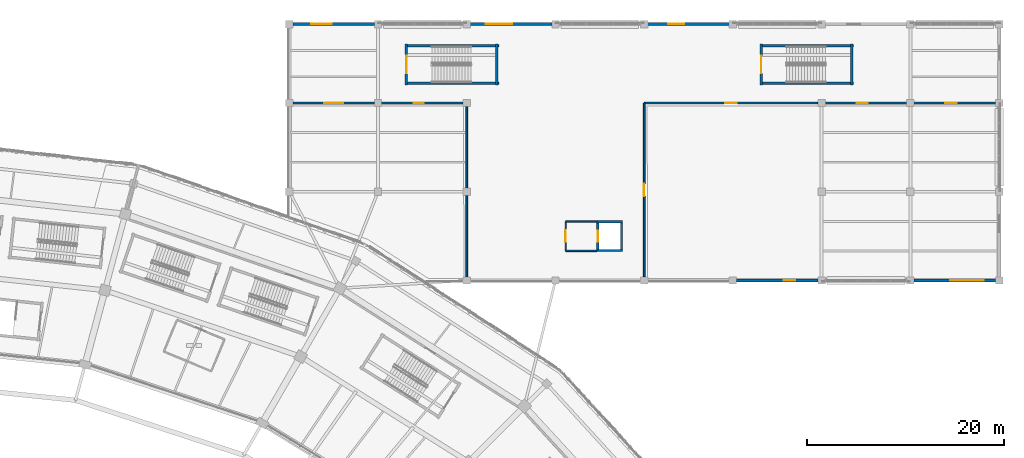
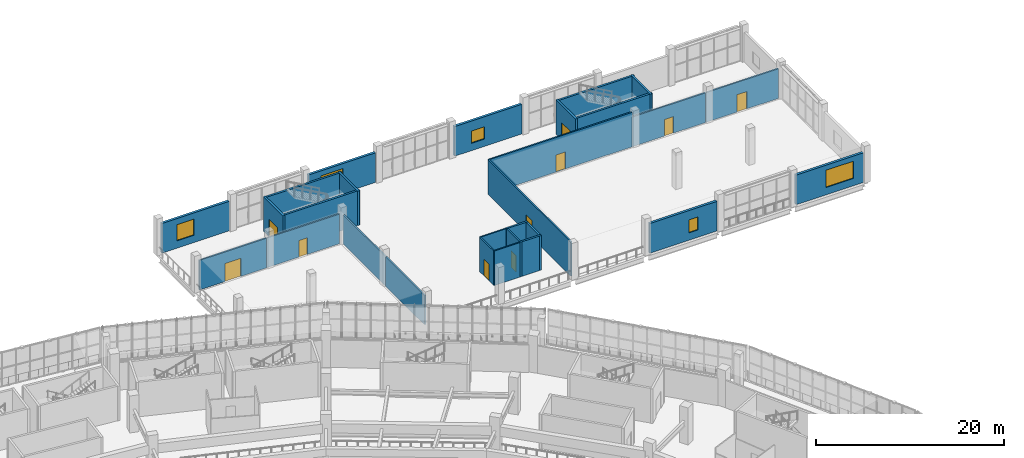
# One storey, part 112 of 179: 28 walls, 10 doors, 5 windows, 15 openings.
"""IFC4 building model written with IfcOpenShell, lengths in metres."""

from ifc_helpers import new_model, si_unit, direction, frame, frame_2d, origin, place, context, subcontext, project, spatial, rectangle, extrude, material, layer, layer_set, type_object, element, fill, save


model = new_model("IFC4")

# Units and contexts
model_context = context("Model", 3, precision=1e-05, world=origin(), true_north=direction((0.0, 1.0)))
body_context = subcontext(model_context, "Body", "Model", "MODEL_VIEW")
ifc_project = project(units=[si_unit("LENGTHUNIT", "METRE"), si_unit("AREAUNIT", "SQUARE_METRE"), si_unit("VOLUMEUNIT", "CUBIC_METRE"), si_unit("PLANEANGLEUNIT", "RADIAN"), si_unit("MASSUNIT", "GRAM", prefix="KILO")], contexts=[model_context])

# Site, building, storey
site_placement = place(None, origin())
site = spatial("IfcSite", under=ifc_project, at=site_placement, CompositionType="ELEMENT")
building_placement = place(site_placement, origin())
building = spatial("IfcBuilding", under=site, at=building_placement, Name="Zevraka Park Crest Stadium", CompositionType="ELEMENT")
storey_placement = place(building_placement, frame((0.0, 0.0, 10.199951171875)))
storey = spatial("IfcBuildingStorey", under=building, at=storey_placement, Name="L02", CompositionType="ELEMENT", Elevation=10.199951171875)

# Wall, opening, window
ifc_material_1 = material(Name="Limestone and red clay brick masonry", Category="masonry")
ifc_layer_1 = layer(ifc_material_1, 0.300048828125)
ifc_layer_set_1 = layer_set([ifc_layer_1], Name="Limestone and red clay brick masonry")
wall_type_1 = type_object("IfcWallType", Name="EW02", PredefinedType="STANDARD", material=ifc_layer_set_1)
wall_1_placement = place(storey_placement, frame((152.35009765625, 184.0, 0.0), z_axis=(0.0, 0.0, 1.0), x_axis=(1.0, 0.0, 0.0)))
wall_1 = element("IfcWall", 1, at=wall_1_placement, inside=storey, type_object=wall_type_1, Name="Wing External Cavity Wall EW02 L02-NGATE-N-1", PredefinedType="STANDARD", context=body_context, shape_type="SweptSolid", body=[
    extrude(rectangle(XDim=8.2998046875, YDim=0.300048828125, at=frame_2d((4.14990234375, 0.0))), origin(), (0.0, 0.0, 1.0), 3.85498046875),
])
opening_1_placement = place(wall_1_placement, frame((1.85498046875, 0.0, 0.949951171875)))
opening_1 = element("IfcOpeningElement", 2, at=opening_1_placement, cuts=wall_1, Name="Opening WN06", PredefinedType="OPENING", context=body_context, shape_type="SweptSolid", body=[
    extrude(rectangle(XDim=2.10009765625, YDim=2.10009765625, at=frame_2d((1.050048828125, 1.050048828125))), frame((0.0, 0.159912109375, 0.0), z_axis=(0.0, -1.0, 0.0), x_axis=(1.0, 0.0, 0.0)), (0.0, 0.0, 1.0), 0.320068359375),
])
ifc_material_2 = material(Name="Solar-control laminated double glazing in aluminium frame", Category="aluminium")
window_type_1 = type_object("IfcWindowType", Name="WN06", PartitioningType="SINGLE_PANEL", PredefinedType="WINDOW", material=ifc_material_2)
window_1_placement = place(opening_1_placement, origin())
window_1 = element("IfcWindow", 3, at=window_1_placement, inside=storey, type_object=window_type_1, Name="Facade Casement Window WN06 W-L02-006", OverallHeight=2.10009765625, OverallWidth=2.10009765625, PartitioningType="SINGLE_PANEL", PredefinedType="WINDOW", context=body_context, shape_type="SweptSolid", body=[
    extrude(rectangle(XDim=2.10009765625, YDim=2.10009765625, at=frame_2d((1.050048828125, 1.050048828125))), frame((0.0, 0.030029296875, 0.0), z_axis=(0.0, -1.0, 0.0), x_axis=(1.0, 0.0, 0.0)), (0.0, 0.0, 1.0), 0.06005859375),
])
fill(opening_1, window_1)

wall_2_placement = place(storey_placement, frame((170.35009765625, 184.0, 0.0), z_axis=(0.0, 0.0, 1.0), x_axis=(1.0, 0.0, 0.0)))
wall_2 = element("IfcWall", 4, at=wall_2_placement, inside=storey, type_object=wall_type_1, Name="Wing External Cavity Wall EW02 L02-NGATE-N-3", PredefinedType="STANDARD", context=body_context, shape_type="SweptSolid", body=[
    extrude(rectangle(XDim=8.2998046875, YDim=0.300048828125, at=frame_2d((4.14990234375, 0.0))), origin(), (0.0, 0.0, 1.0), 3.85498046875),
])
opening_2_placement = place(wall_2_placement, frame((1.554931640625, 0.0, 0.949951171875)))
opening_2 = element("IfcOpeningElement", 5, at=opening_2_placement, cuts=wall_2, Name="Opening WN07", PredefinedType="OPENING", context=body_context, shape_type="SweptSolid", body=[
    extrude(rectangle(XDim=2.699951171875, YDim=2.25, at=frame_2d((1.35009765625, 1.125))), frame((0.0, 0.159912109375, 0.0), z_axis=(0.0, -1.0, 0.0), x_axis=(1.0, 0.0, 0.0)), (0.0, 0.0, 1.0), 0.320068359375),
])
ifc_material_3 = material(Name="Solar-control laminated double glazing in aluminium frame", Category="aluminium")
window_type_2 = type_object("IfcWindowType", Name="WN07", PartitioningType="SINGLE_PANEL", PredefinedType="WINDOW", material=ifc_material_3)
window_2_placement = place(opening_2_placement, origin())
window_2 = element("IfcWindow", 6, at=window_2_placement, inside=storey, type_object=window_type_2, Name="Facade Casement Window WN07 W-L02-007", OverallHeight=2.25, OverallWidth=2.699951171875, PartitioningType="SINGLE_PANEL", PredefinedType="WINDOW", context=body_context, shape_type="SweptSolid", body=[
    extrude(rectangle(XDim=2.699951171875, YDim=2.25, at=frame_2d((1.35009765625, 1.125))), frame((0.0, 0.030029296875, 0.0), z_axis=(0.0, -1.0, 0.0), x_axis=(1.0, 0.0, 0.0)), (0.0, 0.0, 1.0), 0.06005859375),
])
fill(opening_2, window_2)

wall_3_placement = place(storey_placement, frame((188.35009765625, 184.0, 0.0), z_axis=(0.0, 0.0, 1.0), x_axis=(1.0, 0.0, 0.0)))
wall_3 = element("IfcWall", 7, at=wall_3_placement, inside=storey, type_object=wall_type_1, Name="Wing External Cavity Wall EW02 L02-NGATE-N-5", PredefinedType="STANDARD", context=body_context, shape_type="SweptSolid", body=[
    extrude(rectangle(XDim=8.2998046875, YDim=0.300048828125, at=frame_2d((4.14990234375, 0.0))), origin(), (0.0, 0.0, 1.0), 3.85498046875),
])
opening_3_placement = place(wall_3_placement, frame((2.10498046875, 0.0, 0.949951171875)))
opening_3 = element("IfcOpeningElement", 8, at=opening_3_placement, cuts=wall_3, Name="Opening WN08", PredefinedType="OPENING", context=body_context, shape_type="SweptSolid", body=[
    extrude(rectangle(XDim=1.60009765625, YDim=1.60009765625, at=frame_2d((0.800048828125, 0.800048828125))), frame((0.0, 0.159912109375, 0.0), z_axis=(0.0, -1.0, 0.0), x_axis=(1.0, 0.0, 0.0)), (0.0, 0.0, 1.0), 0.320068359375),
])
ifc_material_4 = material(Name="Solar-control laminated double glazing in aluminium frame", Category="aluminium")
window_type_3 = type_object("IfcWindowType", Name="WN08", PartitioningType="SINGLE_PANEL", PredefinedType="WINDOW", material=ifc_material_4)
window_3_placement = place(opening_3_placement, origin())
window_3 = element("IfcWindow", 9, at=window_3_placement, inside=storey, type_object=window_type_3, Name="Facade Casement Window WN08 W-L02-008", OverallHeight=1.60009765625, OverallWidth=1.60009765625, PartitioningType="SINGLE_PANEL", PredefinedType="WINDOW", context=body_context, shape_type="SweptSolid", body=[
    extrude(rectangle(XDim=1.60009765625, YDim=1.60009765625, at=frame_2d((0.800048828125, 0.800048828125))), frame((0.0, 0.030029296875, 0.0), z_axis=(0.0, -1.0, 0.0), x_axis=(1.0, 0.0, 0.0)), (0.0, 0.0, 1.0), 0.06005859375),
])
fill(opening_3, window_3)

wall_4_placement = place(storey_placement, frame((223.64990234375, 158.0, 0.0), z_axis=(0.0, 0.0, 1.0), x_axis=(-1.0, 0.0, 0.0)))
wall_4 = element("IfcWall", 10, at=wall_4_placement, inside=storey, type_object=wall_type_1, Name="Wing External Cavity Wall EW02 L02-NGATE-S-1", PredefinedType="STANDARD", context=body_context, shape_type="SweptSolid", body=[
    extrude(rectangle(XDim=8.2998046875, YDim=0.300048828125, at=frame_2d((4.14990234375, 0.0))), origin(), (0.0, 0.0, 1.0), 3.85498046875),
])
opening_4_placement = place(wall_4_placement, frame((1.205078125, 0.0, 0.949951171875)))
opening_4 = element("IfcOpeningElement", 11, at=opening_4_placement, cuts=wall_4, Name="Opening WN24", PredefinedType="OPENING", context=body_context, shape_type="SweptSolid", body=[
    extrude(rectangle(XDim=3.39990234375, YDim=2.25, at=frame_2d((1.699951171875, 1.125))), frame((0.0, 0.159912109375, 0.0), z_axis=(0.0, -1.0, 0.0), x_axis=(1.0, 0.0, 0.0)), (0.0, 0.0, 1.0), 0.320068359375),
])
ifc_material_5 = material(Name="Solar-control laminated double glazing in aluminium frame", Category="aluminium")
window_type_4 = type_object("IfcWindowType", Name="WN24", PartitioningType="SINGLE_PANEL", PredefinedType="WINDOW", material=ifc_material_5)
window_4_placement = place(opening_4_placement, origin())
window_4 = element("IfcWindow", 12, at=window_4_placement, inside=storey, type_object=window_type_4, Name="Facade Casement Window WN24 W-L02-024", OverallHeight=2.25, OverallWidth=3.39990234375, PartitioningType="SINGLE_PANEL", PredefinedType="WINDOW", context=body_context, shape_type="SweptSolid", body=[
    extrude(rectangle(XDim=3.39990234375, YDim=2.25, at=frame_2d((1.699951171875, 1.125))), frame((0.0, 0.030029296875, 0.0), z_axis=(0.0, -1.0, 0.0), x_axis=(1.0, 0.0, 0.0)), (0.0, 0.0, 1.0), 0.06005859375),
])
fill(opening_4, window_4)

wall_5_placement = place(storey_placement, frame((205.64990234375, 158.0, 0.0), z_axis=(0.0, 0.0, 1.0), x_axis=(-1.0, 0.0, 0.0)))
wall_5 = element("IfcWall", 13, at=wall_5_placement, inside=storey, type_object=wall_type_1, Name="Wing External Cavity Wall EW02 L02-NGATE-S-3", PredefinedType="STANDARD", context=body_context, shape_type="SweptSolid", body=[
    extrude(rectangle(XDim=8.2998046875, YDim=0.300048828125, at=frame_2d((4.14990234375, 0.0))), origin(), (0.0, 0.0, 1.0), 3.85498046875),
])
opening_5_placement = place(wall_5_placement, frame((2.330078125, 0.0, 0.949951171875)))
opening_5 = element("IfcOpeningElement", 14, at=opening_5_placement, cuts=wall_5, Name="Opening WN25", PredefinedType="OPENING", context=body_context, shape_type="SweptSolid", body=[
    extrude(rectangle(XDim=1.14990234375, YDim=1.699951171875, at=frame_2d((0.574951171875, 0.85009765625))), frame((0.0, 0.159912109375, 0.0), z_axis=(0.0, -1.0, 0.0), x_axis=(1.0, 0.0, 0.0)), (0.0, 0.0, 1.0), 0.320068359375),
])
ifc_material_6 = material(Name="Solar-control laminated double glazing in aluminium frame", Category="aluminium")
window_type_5 = type_object("IfcWindowType", Name="WN25", PartitioningType="SINGLE_PANEL", PredefinedType="WINDOW", material=ifc_material_6)
window_5_placement = place(opening_5_placement, origin())
window_5 = element("IfcWindow", 15, at=window_5_placement, inside=storey, type_object=window_type_5, Name="Facade Casement Window WN25 W-L02-025", OverallHeight=1.699951171875, OverallWidth=1.14990234375, PartitioningType="SINGLE_PANEL", PredefinedType="WINDOW", context=body_context, shape_type="SweptSolid", body=[
    extrude(rectangle(XDim=1.14990234375, YDim=1.699951171875, at=frame_2d((0.574951171875, 0.85009765625))), frame((0.0, 0.030029296875, 0.0), z_axis=(0.0, -1.0, 0.0), x_axis=(1.0, 0.0, 0.0)), (0.0, 0.0, 1.0), 0.06005859375),
])
fill(opening_5, window_5)

# Walls
ifc_material_7 = material(Name="Fire-rated twin-stud acoustic drywall", Category="other")
ifc_layer_2 = layer(ifc_material_7, 0.159912109375)
ifc_layer_set_2 = layer_set([ifc_layer_2], Name="Fire-rated twin-stud acoustic drywall")
wall_type_2 = type_object("IfcWallType", Name="IW02", PredefinedType="PARTITIONING", material=ifc_layer_set_2)
for number, where, z_axis, x_axis, name in (
    (16, (183.199951171875, 163.989990234375, 0.0), (0.0, 0.0, 1.0), (-1.0, 0.0, 0.0), "Passenger Lift Lobby Wall IW02 PL04 L02 LEFT"),
    (17, (183.199951171875, 161.010009765625, 0.0), (0.0, 0.0, 1.0), (-1.0, 0.0, 0.0), "Passenger Lift Lobby Wall IW02 PL04 L02 RIGHT"),
):
    element("IfcWall", number, at=place(storey_placement, frame(where, z_axis=z_axis, x_axis=x_axis)), inside=storey, type_object=wall_type_2, Name=name, PredefinedType="PARTITIONING", context=body_context, shape_type="SweptSolid", body=[
        extrude(rectangle(XDim=3.169921875, YDim=0.159912109375, at=frame_2d((1.5849609375, 0.0))), origin(), (0.0, 0.0, 1.0), 4.47998046875),
    ])

# Wall, opening, door
wall_6_placement = place(storey_placement, frame((180.030029296875, 163.989990234375, 0.0), z_axis=(0.0, 0.0, 1.0), x_axis=(0.0, -1.0, 0.0)))
wall_6 = element("IfcWall", 18, at=wall_6_placement, inside=storey, type_object=wall_type_2, Name="Passenger Lift Lobby Wall IW02 PL04 L02 FRONT", PredefinedType="PARTITIONING", context=body_context, shape_type="SweptSolid", body=[
    extrude(rectangle(XDim=2.97998046875, YDim=0.159912109375, at=frame_2d((1.489990234375, 0.0))), origin(), (0.0, 0.0, 1.0), 4.47998046875),
])
opening_6_placement = place(wall_6_placement, frame((0.9150390625, 0.0, 0.0)))
opening_6 = element("IfcOpeningElement", 19, at=opening_6_placement, cuts=wall_6, Name="Opening D-L02-327", PredefinedType="OPENING", context=body_context, shape_type="SweptSolid", body=[
    extrude(rectangle(XDim=1.14990234375, YDim=2.199951171875, at=frame_2d((0.574951171875, 1.10009765625))), frame((0.0, 0.08984375, 0.0), z_axis=(0.0, -1.0, 0.0), x_axis=(1.0, 0.0, 0.0)), (0.0, 0.0, 1.0), 0.179931640625),
])
ifc_material_8 = material(Name="Solid-core hardwood timber leaf in steel frame", Category="steel")
door_type_1 = type_object("IfcDoorType", Name="DR03", OperationType="NOTDEFINED", PredefinedType="DOOR", material=ifc_material_8)
door_1_placement = place(opening_6_placement, origin())
door_1 = element("IfcDoor", 20, at=door_1_placement, inside=storey, type_object=door_type_1, Name="Passenger Lift Lobby PL04 Door D-L02-327", OperationType="SINGLE_SWING_LEFT", OverallHeight=2.199951171875, OverallWidth=1.14990234375, PredefinedType="DOOR", context=body_context, shape_type="SweptSolid", body=[
    extrude(rectangle(XDim=1.14990234375, YDim=2.199951171875, at=frame_2d((0.574951171875, 1.10009765625))), frame((0.0, 0.02490234375, 0.0), z_axis=(0.0, -1.0, 0.0), x_axis=(1.0, 0.0, 0.0)), (0.0, 0.0, 1.0), 0.050048828125),
])
fill(opening_6, door_1)

ifc_material_9 = material(Name="Fire-rated twin-stud acoustic drywall", Category="other")
ifc_layer_3 = layer(ifc_material_9, 0.179931640625)
ifc_layer_set_3 = layer_set([ifc_layer_3], Name="Fire-rated twin-stud acoustic drywall")
wall_type_3 = type_object("IfcWallType", Name="IW06", PredefinedType="PARTITIONING", material=ifc_layer_set_3)
wall_7_placement = place(storey_placement, frame((152.360107421875, 176.0, 0.0), z_axis=(0.0, 0.0, 1.0), x_axis=(1.0, 0.0, 0.0)))
wall_7 = element("IfcWall", 21, at=wall_7_placement, inside=storey, type_object=wall_type_3, Name="Interior Partition IW06 Supporter Members Pavilion Lounge L02", PredefinedType="PARTITIONING", context=body_context, shape_type="SweptSolid", body=[
    extrude(rectangle(XDim=8.27978515625, YDim=0.179931640625, at=frame_2d((4.139892578125, 0.0))), origin(), (0.0, 0.0, 1.0), 3.85498046875),
])
opening_7_placement = place(wall_7_placement, frame((3.1650390625, 0.0, 0.0)))
opening_7 = element("IfcOpeningElement", 22, at=opening_7_placement, cuts=wall_7, Name="Opening D-L02-418", PredefinedType="OPENING", context=body_context, shape_type="SweptSolid", body=[
    extrude(rectangle(XDim=1.949951171875, YDim=2.35009765625, at=frame_2d((0.97509765625, 1.175048828125))), frame((0.0, 0.099853515625, 0.0), z_axis=(0.0, -1.0, 0.0), x_axis=(1.0, 0.0, 0.0)), (0.0, 0.0, 1.0), 0.199951171875),
])
ifc_material_10 = material(Name="Solid-core hardwood timber leaf in steel frame", Category="steel")
door_type_2 = type_object("IfcDoorType", Name="DR28", OperationType="NOTDEFINED", PredefinedType="DOOR", material=ifc_material_10)
door_2_placement = place(opening_7_placement, origin())
door_2 = element("IfcDoor", 23, at=door_2_placement, inside=storey, type_object=door_type_2, Name="Supporter Members Pavilion Lounge Door D-L02-418", OperationType="DOUBLE_DOOR_SINGLE_SWING", OverallHeight=2.35009765625, OverallWidth=1.949951171875, PredefinedType="DOOR", context=body_context, shape_type="SweptSolid", body=[
    extrude(rectangle(XDim=1.949951171875, YDim=2.35009765625, at=frame_2d((0.97509765625, 1.175048828125))), frame((0.0, 0.02490234375, 0.0), z_axis=(0.0, -1.0, 0.0), x_axis=(1.0, 0.0, 0.0)), (0.0, 0.0, 1.0), 0.050048828125),
])
fill(opening_7, door_2)

wall_8_placement = place(storey_placement, frame((160.625, 176.0, 0.0), z_axis=(0.0, 0.0, 1.0), x_axis=(1.0, 0.0, 0.0)))
wall_8 = element("IfcWall", 24, at=wall_8_placement, inside=storey, type_object=wall_type_3, Name="Interior Partition IW06 Supporter Members Pavilion Lounge L02", PredefinedType="PARTITIONING", context=body_context, shape_type="SweptSolid", body=[
    extrude(rectangle(XDim=9.014892578125, YDim=0.179931640625, at=frame_2d((4.50732421875, 0.0))), origin(), (0.0, 0.0, 1.0), 3.85498046875),
])
opening_8_placement = place(wall_8_placement, frame((3.98193359375, 0.0, 0.0)))
opening_8 = element("IfcOpeningElement", 25, at=opening_8_placement, cuts=wall_8, Name="Opening D-L02-419", PredefinedType="OPENING", context=body_context, shape_type="SweptSolid", body=[
    extrude(rectangle(XDim=1.050048828125, YDim=2.14990234375, at=frame_2d((0.52490234375, 1.074951171875))), frame((0.0, 0.099853515625, 0.0), z_axis=(0.0, -1.0, 0.0), x_axis=(1.0, 0.0, 0.0)), (0.0, 0.0, 1.0), 0.199951171875),
])
ifc_material_11 = material(Name="Solid-core hardwood timber leaf in steel frame", Category="steel")
door_type_3 = type_object("IfcDoorType", Name="DR02", OperationType="NOTDEFINED", PredefinedType="DOOR", material=ifc_material_11)
door_3_placement = place(opening_8_placement, origin())
door_3 = element("IfcDoor", 26, at=door_3_placement, inside=storey, type_object=door_type_3, Name="Supporter Members Pavilion Lounge Door D-L02-419", OperationType="SINGLE_SWING_RIGHT", OverallHeight=2.14990234375, OverallWidth=1.050048828125, PredefinedType="DOOR", context=body_context, shape_type="SweptSolid", body=[
    extrude(rectangle(XDim=1.050048828125, YDim=2.14990234375, at=frame_2d((0.52490234375, 1.074951171875))), frame((0.0, 0.02490234375, 0.0), z_axis=(0.0, -1.0, 0.0), x_axis=(1.0, 0.0, 0.0)), (0.0, 0.0, 1.0), 0.050048828125),
])
fill(opening_8, door_3)

# Walls
wall_9_placement = place(storey_placement, frame((170.0, 158.360107421875, 0.0), z_axis=(0.0, 0.0, 1.0), x_axis=(0.0, 1.0, 0.0)))
element("IfcWall", 27, at=wall_9_placement, inside=storey, type_object=wall_type_3, Name="Interior Partition IW06 Supporter Members Pavilion Lounge L02", PredefinedType="PARTITIONING", context=body_context, shape_type="SweptSolid", body=[
    extrude(rectangle(XDim=8.27978515625, YDim=0.179931640625, at=frame_2d((4.139892578125, 0.0))), origin(), (0.0, 0.0, 1.0), 3.817138671875),
])
wall_10_placement = place(storey_placement, frame((170.0, 166.625, 0.0), z_axis=(0.0, 0.0, 1.0), x_axis=(0.0, 1.0, 0.0)))
element("IfcWall", 28, at=wall_10_placement, inside=storey, type_object=wall_type_3, Name="Interior Partition IW06 Supporter Members Pavilion Lounge L02", PredefinedType="PARTITIONING", context=body_context, shape_type="SweptSolid", body=[
    extrude(rectangle(XDim=9.014892578125, YDim=0.179931640625, at=frame_2d((4.50732421875, 0.0))), origin(), (0.0, 0.0, 1.0), 3.817138671875),
])

# Wall, opening, door
wall_11_placement = place(storey_placement, frame((188.0, 176.0, 0.0), z_axis=(0.0, 0.0, 1.0), x_axis=(1.0, 0.0, 0.0)))
wall_11 = element("IfcWall", 29, at=wall_11_placement, inside=storey, type_object=wall_type_3, Name="Interior Partition IW06 Supporter Members Pavilion Lounge L02", PredefinedType="PARTITIONING", context=body_context, shape_type="SweptSolid", body=[
    extrude(rectangle(XDim=17.639892578125, YDim=0.179931640625, at=frame_2d((8.81982421875, 0.0))), origin(), (0.0, 0.0, 1.0), 4.47998046875),
])
opening_9_placement = place(wall_11_placement, frame((8.2451171875, 0.0, 0.0)))
opening_9 = element("IfcOpeningElement", 30, at=opening_9_placement, cuts=wall_11, Name="Opening D-L02-420", PredefinedType="OPENING", context=body_context, shape_type="SweptSolid", body=[
    extrude(rectangle(XDim=1.14990234375, YDim=2.199951171875, at=frame_2d((0.574951171875, 1.10009765625))), frame((0.0, 0.099853515625, 0.0), z_axis=(0.0, -1.0, 0.0), x_axis=(1.0, 0.0, 0.0)), (0.0, 0.0, 1.0), 0.199951171875),
])
door_4_placement = place(opening_9_placement, origin())
door_4 = element("IfcDoor", 31, at=door_4_placement, inside=storey, type_object=door_type_1, Name="Supporter Members Pavilion Lounge Door D-L02-420", OperationType="SINGLE_SWING_LEFT", OverallHeight=2.199951171875, OverallWidth=1.14990234375, PredefinedType="DOOR", context=body_context, shape_type="SweptSolid", body=[
    extrude(rectangle(XDim=1.14990234375, YDim=2.199951171875, at=frame_2d((0.574951171875, 1.10009765625))), frame((0.0, 0.02490234375, 0.0), z_axis=(0.0, -1.0, 0.0), x_axis=(1.0, 0.0, 0.0)), (0.0, 0.0, 1.0), 0.050048828125),
])
fill(opening_9, door_4)

wall_12_placement = place(storey_placement, frame((205.625, 176.0, 0.0), z_axis=(0.0, 0.0, 1.0), x_axis=(1.0, 0.0, 0.0)))
wall_12 = element("IfcWall", 32, at=wall_12_placement, inside=storey, type_object=wall_type_3, Name="Interior Partition IW06 Supporter Members Pavilion Lounge L02", PredefinedType="PARTITIONING", context=body_context, shape_type="SweptSolid", body=[
    extrude(rectangle(XDim=9.014892578125, YDim=0.179931640625, at=frame_2d((4.50732421875, 0.0))), origin(), (0.0, 0.0, 1.0), 3.85498046875),
])
opening_10_placement = place(wall_12_placement, frame((3.95703125, 0.0, 0.0)))
opening_10 = element("IfcOpeningElement", 33, at=opening_10_placement, cuts=wall_12, Name="Opening D-L02-421", PredefinedType="OPENING", context=body_context, shape_type="SweptSolid", body=[
    extrude(rectangle(XDim=1.10009765625, YDim=2.14990234375, at=frame_2d((0.550048828125, 1.074951171875))), frame((0.0, 0.099853515625, 0.0), z_axis=(0.0, -1.0, 0.0), x_axis=(1.0, 0.0, 0.0)), (0.0, 0.0, 1.0), 0.199951171875),
])
ifc_material_12 = material(Name="Solid-core hardwood timber leaf in steel frame", Category="steel")
door_type_4 = type_object("IfcDoorType", Name="DR10", OperationType="NOTDEFINED", PredefinedType="DOOR", material=ifc_material_12)
door_5_placement = place(opening_10_placement, origin())
door_5 = element("IfcDoor", 34, at=door_5_placement, inside=storey, type_object=door_type_4, Name="Supporter Members Pavilion Lounge Door D-L02-421", OperationType="SINGLE_SWING_RIGHT", OverallHeight=2.14990234375, OverallWidth=1.10009765625, PredefinedType="DOOR", context=body_context, shape_type="SweptSolid", body=[
    extrude(rectangle(XDim=1.10009765625, YDim=2.14990234375, at=frame_2d((0.550048828125, 1.074951171875))), frame((0.0, 0.02490234375, 0.0), z_axis=(0.0, -1.0, 0.0), x_axis=(1.0, 0.0, 0.0)), (0.0, 0.0, 1.0), 0.050048828125),
])
fill(opening_10, door_5)

wall_13_placement = place(storey_placement, frame((214.625, 176.0, 0.0), z_axis=(0.0, 0.0, 1.0), x_axis=(1.0, 0.0, 0.0)))
wall_13 = element("IfcWall", 35, at=wall_13_placement, inside=storey, type_object=wall_type_3, Name="Interior Partition IW06 Supporter Members Pavilion Lounge L02", PredefinedType="PARTITIONING", context=body_context, shape_type="SweptSolid", body=[
    extrude(rectangle(XDim=9.014892578125, YDim=0.179931640625, at=frame_2d((4.50732421875, 0.0))), origin(), (0.0, 0.0, 1.0), 3.85498046875),
])
opening_11_placement = place(wall_13_placement, frame((3.906982421875, 0.0, 0.0)))
opening_11 = element("IfcOpeningElement", 36, at=opening_11_placement, cuts=wall_13, Name="Opening D-L02-422", PredefinedType="OPENING", context=body_context, shape_type="SweptSolid", body=[
    extrude(rectangle(XDim=1.199951171875, YDim=2.25, at=frame_2d((0.60009765625, 1.125))), frame((0.0, 0.099853515625, 0.0), z_axis=(0.0, -1.0, 0.0), x_axis=(1.0, 0.0, 0.0)), (0.0, 0.0, 1.0), 0.199951171875),
])
ifc_material_13 = material(Name="Solid-core hardwood timber leaf in steel frame", Category="steel")
door_type_5 = type_object("IfcDoorType", Name="DR11", OperationType="NOTDEFINED", PredefinedType="DOOR", material=ifc_material_13)
door_6_placement = place(opening_11_placement, origin())
door_6 = element("IfcDoor", 37, at=door_6_placement, inside=storey, type_object=door_type_5, Name="Supporter Members Pavilion Lounge Door D-L02-422", OperationType="SINGLE_SWING_LEFT", OverallHeight=2.25, OverallWidth=1.199951171875, PredefinedType="DOOR", context=body_context, shape_type="SweptSolid", body=[
    extrude(rectangle(XDim=1.199951171875, YDim=2.25, at=frame_2d((0.60009765625, 1.125))), frame((0.0, 0.02490234375, 0.0), z_axis=(0.0, -1.0, 0.0), x_axis=(1.0, 0.0, 0.0)), (0.0, 0.0, 1.0), 0.050048828125),
])
fill(opening_11, door_6)

wall_14_placement = place(storey_placement, frame((188.0, 158.360107421875, 0.0), z_axis=(0.0, 0.0, 1.0), x_axis=(0.0, 1.0, 0.0)))
wall_14 = element("IfcWall", 38, at=wall_14_placement, inside=storey, type_object=wall_type_3, Name="Interior Partition IW06 Supporter Members Pavilion Lounge L02", PredefinedType="PARTITIONING", context=body_context, shape_type="SweptSolid", body=[
    extrude(rectangle(XDim=17.639892578125, YDim=0.179931640625, at=frame_2d((8.81982421875, 0.0))), origin(), (0.0, 0.0, 1.0), 4.47998046875),
])
opening_12_placement = place(wall_14_placement, frame((8.169921875, 0.0, 0.0)))
opening_12 = element("IfcOpeningElement", 39, at=opening_12_placement, cuts=wall_14, Name="Opening D-L02-423", PredefinedType="OPENING", context=body_context, shape_type="SweptSolid", body=[
    extrude(rectangle(XDim=1.300048828125, YDim=2.25, at=frame_2d((0.64990234375, 1.125))), frame((0.0, 0.099853515625, 0.0), z_axis=(0.0, -1.0, 0.0), x_axis=(1.0, 0.0, 0.0)), (0.0, 0.0, 1.0), 0.199951171875),
])
ifc_material_14 = material(Name="Solid-core hardwood timber leaf in steel frame", Category="steel")
door_type_6 = type_object("IfcDoorType", Name="DR12", OperationType="NOTDEFINED", PredefinedType="DOOR", material=ifc_material_14)
door_7_placement = place(opening_12_placement, origin())
door_7 = element("IfcDoor", 40, at=door_7_placement, inside=storey, type_object=door_type_6, Name="Supporter Members Pavilion Lounge Door D-L02-423", OperationType="SINGLE_SWING_RIGHT", OverallHeight=2.25, OverallWidth=1.300048828125, PredefinedType="DOOR", context=body_context, shape_type="SweptSolid", body=[
    extrude(rectangle(XDim=1.300048828125, YDim=2.25, at=frame_2d((0.64990234375, 1.125))), frame((0.0, 0.02490234375, 0.0), z_axis=(0.0, -1.0, 0.0), x_axis=(1.0, 0.0, 0.0)), (0.0, 0.0, 1.0), 0.050048828125),
])
fill(opening_12, door_7)

# Walls
ifc_material_15 = material(Name="Concrete C40/50", Category="concrete")
ifc_layer_4 = layer(ifc_material_15, 0.25)
ifc_layer_set_4 = layer_set([ifc_layer_4], Name="Concrete C40/50")
wall_type_4 = type_object("IfcWallType", Name="SW01", PredefinedType="SHEAR", material=ifc_layer_set_4)
for number, where, z_axis, x_axis, name in (
    (41, (199.75, 178.010009765625, 0.0), (0.0, 0.0, 1.0), (1.0, 0.0, 0.0), "Stair Core Shear Wall SW01 ST45 L02 left"),
    (42, (209.25, 181.830078125, 0.0), (0.0, 0.0, 1.0), (-1.0, 0.0, 0.0), "Stair Core Shear Wall SW01 ST45 L02 right"),
):
    element("IfcWall", number, at=place(storey_placement, frame(where, z_axis=z_axis, x_axis=x_axis)), inside=storey, type_object=wall_type_4, Name=name, PredefinedType="SHEAR", context=body_context, shape_type="SweptSolid", body=[
        extrude(rectangle(XDim=9.5, YDim=0.25, at=frame_2d((4.75, 0.0))), origin(), (0.0, 0.0, 1.0), 4.5),
    ])

# Wall, opening, door
wall_15_placement = place(storey_placement, frame((199.875, 182.0, 0.0), z_axis=(0.0, 0.0, 1.0), x_axis=(0.0, -1.0, 0.0)))
wall_15 = element("IfcWall", 43, at=wall_15_placement, inside=storey, type_object=wall_type_4, Name="Stair Core Shear Wall SW01 ST45 L02 near", PredefinedType="SHEAR", context=body_context, shape_type="SweptSolid", body=[
    extrude(rectangle(XDim=4.159912109375, YDim=0.25, at=frame_2d((2.080078125, 0.0))), origin(), (0.0, 0.0, 1.0), 4.5),
])
opening_13_placement = place(wall_15_placement, frame((1.179931640625, 0.0, 0.0)))
opening_13 = element("IfcOpeningElement", 44, at=opening_13_placement, cuts=wall_15, Name="Opening D-L02-236", PredefinedType="OPENING", context=body_context, shape_type="SweptSolid", body=[
    extrude(rectangle(XDim=1.800048828125, YDim=2.25, at=frame_2d((0.89990234375, 1.125))), frame((0.0, 0.135009765625, 0.0), z_axis=(0.0, -1.0, 0.0), x_axis=(1.0, 0.0, 0.0)), (0.0, 0.0, 1.0), 0.27001953125),
])
ifc_material_16 = material(Name="Solid-core hardwood timber leaf in steel frame", Category="steel")
door_type_7 = type_object("IfcDoorType", Name="DR04", OperationType="NOTDEFINED", PredefinedType="DOOR", material=ifc_material_16)
door_8_placement = place(opening_13_placement, origin())
door_8 = element("IfcDoor", 45, at=door_8_placement, inside=storey, type_object=door_type_7, Name="Protected Stair Entry Door ST45 L02", OperationType="DOUBLE_DOOR_SINGLE_SWING", OverallHeight=2.25, OverallWidth=1.800048828125, PredefinedType="DOOR", context=body_context, shape_type="SweptSolid", body=[
    extrude(rectangle(XDim=1.800048828125, YDim=2.25, at=frame_2d((0.89990234375, 1.125))), frame((0.0, 0.02490234375, 0.0), z_axis=(0.0, -1.0, 0.0), x_axis=(1.0, 0.0, 0.0)), (0.0, 0.0, 1.0), 0.050048828125),
])
fill(opening_13, door_8)

# Walls
wall_16_placement = place(storey_placement, frame((209.06494140625, 177.840087890625, 0.0), z_axis=(0.0, 0.0, 1.0), x_axis=(0.0, 1.0, 0.0)))
element("IfcWall", 46, at=wall_16_placement, inside=storey, type_object=wall_type_4, Name="Stair Core Shear Wall SW01 ST45 L02 far", PredefinedType="SHEAR", context=body_context, shape_type="SweptSolid", body=[
    extrude(rectangle(XDim=4.159912109375, YDim=0.25, at=frame_2d((2.080078125, 0.0))), origin(), (0.0, 0.0, 1.0), 4.5),
])
for number, where, z_axis, x_axis, name in (
    (47, (163.75, 178.010009765625, 0.0), (0.0, 0.0, 1.0), (1.0, 0.0, 0.0), "Stair Core Shear Wall SW01 ST46 L02 left"),
    (48, (173.25, 181.830078125, 0.0), (0.0, 0.0, 1.0), (-1.0, 0.0, 0.0), "Stair Core Shear Wall SW01 ST46 L02 right"),
):
    element("IfcWall", number, at=place(storey_placement, frame(where, z_axis=z_axis, x_axis=x_axis)), inside=storey, type_object=wall_type_4, Name=name, PredefinedType="SHEAR", context=body_context, shape_type="SweptSolid", body=[
        extrude(rectangle(XDim=9.5, YDim=0.25, at=frame_2d((4.75, 0.0))), origin(), (0.0, 0.0, 1.0), 4.5),
    ])

# Wall, opening, door
wall_17_placement = place(storey_placement, frame((163.875, 182.0, 0.0), z_axis=(0.0, 0.0, 1.0), x_axis=(0.0, -1.0, 0.0)))
wall_17 = element("IfcWall", 49, at=wall_17_placement, inside=storey, type_object=wall_type_4, Name="Stair Core Shear Wall SW01 ST46 L02 near", PredefinedType="SHEAR", context=body_context, shape_type="SweptSolid", body=[
    extrude(rectangle(XDim=4.159912109375, YDim=0.25, at=frame_2d((2.080078125, 0.0))), origin(), (0.0, 0.0, 1.0), 4.5),
])
opening_14_placement = place(wall_17_placement, frame((1.179931640625, 0.0, 0.0)))
opening_14 = element("IfcOpeningElement", 50, at=opening_14_placement, cuts=wall_17, Name="Opening D-L02-241", PredefinedType="OPENING", context=body_context, shape_type="SweptSolid", body=[
    extrude(rectangle(XDim=1.800048828125, YDim=2.25, at=frame_2d((0.89990234375, 1.125))), frame((0.0, 0.135009765625, 0.0), z_axis=(0.0, -1.0, 0.0), x_axis=(1.0, 0.0, 0.0)), (0.0, 0.0, 1.0), 0.27001953125),
])
door_9_placement = place(opening_14_placement, origin())
door_9 = element("IfcDoor", 51, at=door_9_placement, inside=storey, type_object=door_type_7, Name="Protected Stair Entry Door ST46 L02", OperationType="DOUBLE_DOOR_SINGLE_SWING", OverallHeight=2.25, OverallWidth=1.800048828125, PredefinedType="DOOR", context=body_context, shape_type="SweptSolid", body=[
    extrude(rectangle(XDim=1.800048828125, YDim=2.25, at=frame_2d((0.89990234375, 1.125))), frame((0.0, 0.02490234375, 0.0), z_axis=(0.0, -1.0, 0.0), x_axis=(1.0, 0.0, 0.0)), (0.0, 0.0, 1.0), 0.050048828125),
])
fill(opening_14, door_9)

# Walls
wall_18_placement = place(storey_placement, frame((173.06494140625, 177.840087890625, 0.0), z_axis=(0.0, 0.0, 1.0), x_axis=(0.0, 1.0, 0.0)))
element("IfcWall", 52, at=wall_18_placement, inside=storey, type_object=wall_type_4, Name="Stair Core Shear Wall SW01 ST46 L02 far", PredefinedType="SHEAR", context=body_context, shape_type="SweptSolid", body=[
    extrude(rectangle(XDim=4.159912109375, YDim=0.25, at=frame_2d((2.080078125, 0.0))), origin(), (0.0, 0.0, 1.0), 4.5),
])
ifc_material_17 = material(Name="Concrete C40/50", Category="concrete")
ifc_layer_5 = layer(ifc_material_17, 0.219970703125)
ifc_layer_set_5 = layer_set([ifc_layer_5], Name="Concrete C40/50")
wall_type_5 = type_object("IfcWallType", Name="SW02", PredefinedType="SHEAR", material=ifc_layer_set_5)
wall_19_placement = place(storey_placement, frame((183.179931640625, 161.0400390625, 0.0), z_axis=(0.0, 0.0, 1.0), x_axis=(1.0, 0.0, 0.0)))
element("IfcWall", 53, at=wall_19_placement, inside=storey, type_object=wall_type_5, Name="Lift Shaft Shear Wall SW02 PL04 L02-1", PredefinedType="SHEAR", context=body_context, shape_type="SweptSolid", body=[
    extrude(rectangle(XDim=2.64013671875, YDim=0.219970703125, at=frame_2d((1.320068359375, 0.0))), origin(), (0.0, 0.0, 1.0), 4.5),
])
wall_20_placement = place(storey_placement, frame((185.7099609375, 160.929931640625, 0.0), z_axis=(0.0, 0.0, 1.0), x_axis=(0.0, 1.0, 0.0)))
element("IfcWall", 54, at=wall_20_placement, inside=storey, type_object=wall_type_5, Name="Lift Shaft Shear Wall SW02 PL04 L02-2", PredefinedType="SHEAR", context=body_context, shape_type="SweptSolid", body=[
    extrude(rectangle(XDim=3.14013671875, YDim=0.219970703125, at=frame_2d((1.570068359375, 0.0))), origin(), (0.0, 0.0, 1.0), 4.5),
])
wall_21_placement = place(storey_placement, frame((185.820068359375, 163.9599609375, 0.0), z_axis=(0.0, 0.0, 1.0), x_axis=(-1.0, 0.0, 0.0)))
element("IfcWall", 55, at=wall_21_placement, inside=storey, type_object=wall_type_5, Name="Lift Shaft Shear Wall SW02 PL04 L02-3", PredefinedType="SHEAR", context=body_context, shape_type="SweptSolid", body=[
    extrude(rectangle(XDim=2.64013671875, YDim=0.219970703125, at=frame_2d((1.320068359375, 0.0))), origin(), (0.0, 0.0, 1.0), 4.5),
])

# Wall, opening, door
wall_22_placement = place(storey_placement, frame((183.2900390625, 164.070068359375, 0.0), z_axis=(0.0, 0.0, 1.0), x_axis=(0.0, -1.0, 0.0)))
wall_22 = element("IfcWall", 56, at=wall_22_placement, inside=storey, type_object=wall_type_5, Name="Lift Shaft Shear Wall SW02 PL04 L02-4", PredefinedType="SHEAR", context=body_context, shape_type="SweptSolid", body=[
    extrude(rectangle(XDim=3.14013671875, YDim=0.219970703125, at=frame_2d((1.570068359375, 0.0))), origin(), (0.0, 0.0, 1.0), 4.5),
])
opening_15_placement = place(wall_22_placement, frame((1.02001953125, 0.0, 0.0)))
opening_15 = element("IfcOpeningElement", 57, at=opening_15_placement, cuts=wall_22, Name="Opening LD-PL04-L02", PredefinedType="OPENING", context=body_context, shape_type="SweptSolid", body=[
    extrude(rectangle(XDim=1.10009765625, YDim=2.14990234375, at=frame_2d((0.550048828125, 1.074951171875))), frame((0.0, 0.119873046875, 0.0), z_axis=(0.0, -1.0, 0.0), x_axis=(1.0, 0.0, 0.0)), (0.0, 0.0, 1.0), 0.239990234375),
])
ifc_material_18 = material(Name="Brushed stainless steel lift landing doors", Category="steel")
door_type_8 = type_object("IfcDoorType", Name="LD02", OperationType="NOTDEFINED", PredefinedType="DOOR", material=ifc_material_18)
door_10_placement = place(opening_15_placement, origin())
door_10 = element("IfcDoor", 58, at=door_10_placement, inside=storey, type_object=door_type_8, Name="Lift Sliding Landing Door LD-PL04-L02", OperationType="SLIDING_TO_LEFT", OverallHeight=2.14990234375, OverallWidth=1.10009765625, PredefinedType="DOOR", context=body_context, shape_type="SweptSolid", body=[
    extrude(rectangle(XDim=1.10009765625, YDim=2.14990234375, at=frame_2d((0.550048828125, 1.074951171875))), frame((0.0, 0.02490234375, 0.0), z_axis=(0.0, -1.0, 0.0), x_axis=(1.0, 0.0, 0.0)), (0.0, 0.0, 1.0), 0.050048828125),
])
fill(opening_15, door_10)

save(model, "model.ifc")
